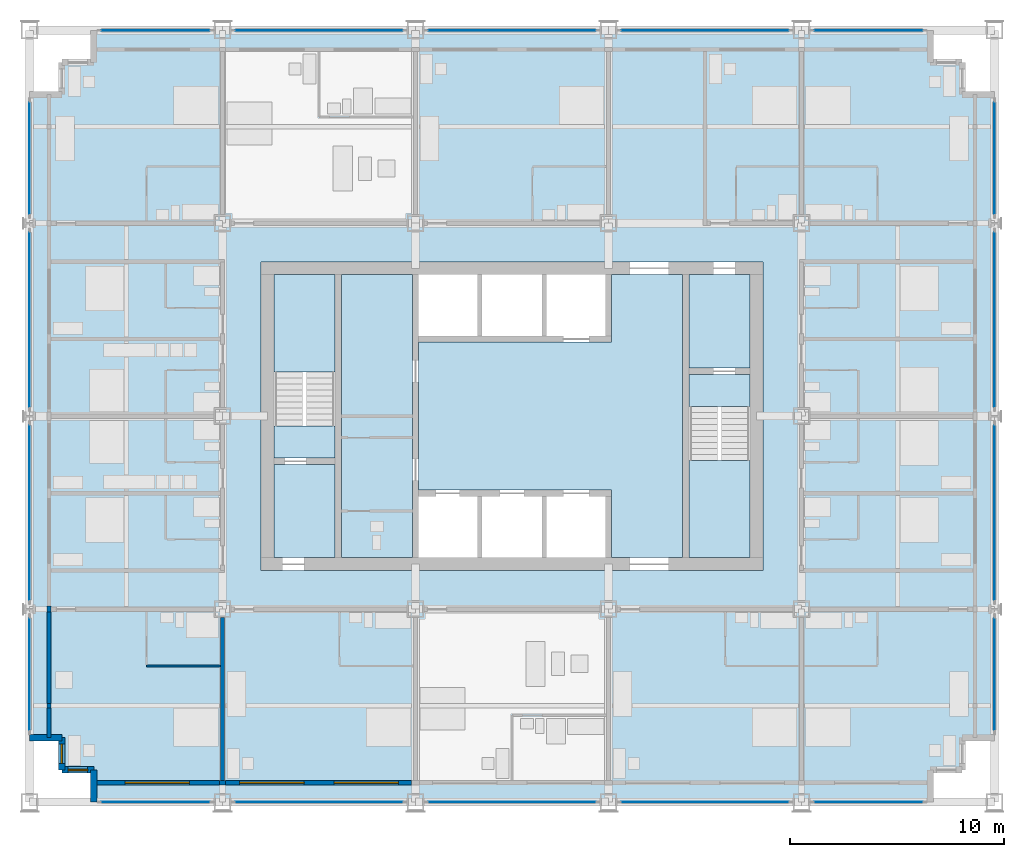
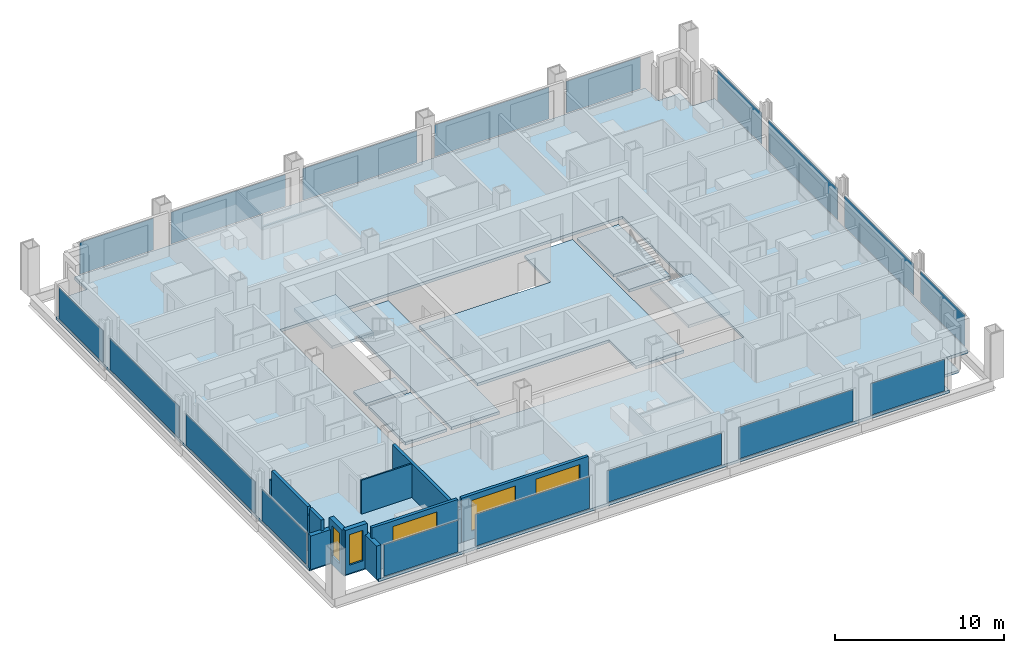
# One storey, part 8 of 16: 18 plates, 13 walls, 9 slabs, 5 windows, 5 openings, 20 elements without a shape of their own.
"""IFC4 building model written with IfcOpenShell, lengths in metres."""

import ifcopenshell
import ifcopenshell.guid

model = None  # the IFC model being written
_history = None  # IfcOwnerHistory: only IFC2X3 demands one
_inside = {}  # id of a spatial element -> (the spatial element, [elements in it])
_under = {}  # id of a project, library or spatial element -> (it, [spatial elements below it])
_declared = {}  # id of a project -> (the project, [libraries it declares])
_typed = {}  # id of a type object -> (the type object, [elements of that type])
_made_of = {}  # id of a material, layer set ... -> (it, [elements and type objects made of it])


def new_model(schema):
    """Start an empty IFC model of exactly this schema.

    Asked for "IFC4X3", IfcOpenShell would pick the latest addendum, in which some entities
    have other attributes; the version numbers below select the first issue.
    IFC2X3 requires an IfcOwnerHistory on every rooted entity: one is made here for all.
    """
    global model, _history
    if schema == "IFC4X3":
        model = ifcopenshell.file(schema_version=(4, 3, 0, 0))
    else:
        model = ifcopenshell.file(schema=schema)
    _inside.clear()
    _under.clear()
    _declared.clear()
    _typed.clear()
    _made_of.clear()
    _history = None
    if model.schema == "IFC2X3":
        org = make("IfcOrganization", Name="unknown")
        user = make(
            "IfcPersonAndOrganization",
            ThePerson=make("IfcPerson", FamilyName="unknown"),
            TheOrganization=org,
        )
        app = make(
            "IfcApplication",
            ApplicationDeveloper=org,
            Version="unknown",
            ApplicationFullName="unknown",
            ApplicationIdentifier="unknown",
        )
        _history = make(
            "IfcOwnerHistory",
            OwningUser=user,
            OwningApplication=app,
            ChangeAction="ADDED",
            CreationDate=0,
        )
    return model


def make(cls, **values):
    """One entity of the class cls with the attributes given. An attribute that is None is left unset."""
    return model.create_entity(
        cls, **{name: value for name, value in values.items() if value is not None}
    )


def rooted(cls, **values):
    """An entity with a GlobalId (a new one), such as an element, a storey or a relation."""
    return make(cls, GlobalId=ifcopenshell.guid.new(), OwnerHistory=_history, **values)


def si_unit(unit_type, name, prefix=None):
    """IfcSIUnit, for example si_unit("LENGTHUNIT", "METRE", prefix="MILLI")."""
    return make("IfcSIUnit", UnitType=unit_type, Prefix=prefix, Name=name)


def assignment(units):
    """IfcUnitAssignment: the units of a project."""
    return None if units is None else make("IfcUnitAssignment", Units=units)


def point(xyz):
    """IfcCartesianPoint."""
    return None if xyz is None else make("IfcCartesianPoint", Coordinates=xyz)


def direction(xyz):
    """IfcDirection."""
    return None if xyz is None else make("IfcDirection", DirectionRatios=xyz)


def frame(location, z_axis=None, x_axis=None):
    """IfcAxis2Placement3D, a coordinate frame: its origin and axes. An axis left out is left unset."""
    return make(
        "IfcAxis2Placement3D",
        Location=point(location),
        Axis=direction(z_axis),
        RefDirection=direction(x_axis),
    )


def frame_2d(location, x_axis=None):
    """IfcAxis2Placement2D, a coordinate frame in the plane: its origin and x axis."""
    return make(
        "IfcAxis2Placement2D", Location=point(location), RefDirection=direction(x_axis)
    )


def origin():
    """The frame at (0, 0, 0) with its axes left unset."""
    return frame((0.0, 0.0, 0.0))


def origin_2d():
    """The frame at (0, 0) in the plane with its x axis left unset."""
    return frame_2d((0.0, 0.0))


def place(relative_to, where):
    """IfcLocalPlacement: puts the frame where relative to a parent placement (None: the world)."""
    return make(
        "IfcLocalPlacement", PlacementRelTo=relative_to, RelativePlacement=where
    )


def context(
    kind, dimensions, precision=None, world=None, true_north=None, identifier=None
):
    """IfcGeometricRepresentationContext, for example the 3D "Model" context."""
    return make(
        "IfcGeometricRepresentationContext",
        ContextIdentifier=identifier,
        ContextType=kind,
        CoordinateSpaceDimension=dimensions,
        Precision=precision,
        WorldCoordinateSystem=world,
        TrueNorth=true_north,
    )


def subcontext(parent, identifier, kind, view, scale=None):
    """IfcGeometricRepresentationSubContext, for example "Body" below "Model"."""
    return make(
        "IfcGeometricRepresentationSubContext",
        ContextIdentifier=identifier,
        ContextType=kind,
        ParentContext=parent,
        TargetScale=scale,
        TargetView=view,
    )


def project(units=None, contexts=None):
    """IfcProject with its units and contexts."""
    return rooted(
        "IfcProject",
        Name="project",
        RepresentationContexts=contexts,
        UnitsInContext=assignment(units),
    )


def spatial(cls, under=None, at=None, **own):
    """A site, building, storey or space (cls), placed at a placement, below another one or the project."""
    s = rooted(cls, ObjectPlacement=at, **own)
    if under is not None:
        _under.setdefault(under.id(), (under, []))[1].append(s)
    return s


def polyline(points):
    """IfcPolyline through the points."""
    return make("IfcPolyline", Points=[point(p) for p in points])


def profile(cls, at=None, kind="AREA", **sizes):
    """A parametric profile (cls). Its sizes go by their IFC names, for example OverallWidth=200.0."""
    return make(cls, ProfileType=kind, Position=at, **sizes)


def rectangle(**sizes):
    """IfcRectangleProfileDef."""
    return profile("IfcRectangleProfileDef", **sizes)


def outline(outer, holes=None, kind="AREA"):
    """IfcArbitraryClosedProfileDef: a profile drawn as a closed curve; with holes, ...WithVoids."""
    if holes is None:
        return make("IfcArbitraryClosedProfileDef", ProfileType=kind, OuterCurve=outer)
    return make(
        "IfcArbitraryProfileDefWithVoids",
        ProfileType=kind,
        OuterCurve=outer,
        InnerCurves=holes,
    )


def extrude(swept, where, along, depth):
    """IfcExtrudedAreaSolid: the profile swept, set in the frame where, extruded along a direction by depth."""
    return make(
        "IfcExtrudedAreaSolid",
        SweptArea=swept,
        Position=where,
        ExtrudedDirection=direction(along),
        Depth=depth,
    )


def shape(context_of_items, identifier, shape_type, items):
    """IfcShapeRepresentation: the items that make up one representation, for example the "Body"."""
    return make(
        "IfcShapeRepresentation",
        ContextOfItems=context_of_items,
        RepresentationIdentifier=identifier,
        RepresentationType=shape_type,
        Items=items,
    )


def material(Name=None, Category=None):
    """IfcMaterial."""
    return make("IfcMaterial", Name=Name, Category=Category)


def layer(
    of_material, thickness, ventilated=None, Name=None, Category=None, Priority=None
):
    """IfcMaterialLayer: one layer of a wall or slab, of a material (None: an air gap)."""
    return make(
        "IfcMaterialLayer",
        Material=of_material,
        LayerThickness=thickness,
        IsVentilated=ventilated,
        Name=Name,
        Category=Category,
        Priority=Priority,
    )


def layer_set(layers, Name=None):
    """IfcMaterialLayerSet."""
    return make("IfcMaterialLayerSet", MaterialLayers=layers, LayerSetName=Name)


def made_of(thing, what):
    """Note that an element or type object is made of a material, layer set ...; save() writes the relation."""
    if what is not None:
        _made_of.setdefault(what.id(), (what, []))[1].append(thing)
    return thing


def type_object(cls, material=None, **own):
    """A type object (cls), such as IfcWallType, which elements share."""
    return made_of(rooted(cls, **own), material)


def element(
    cls,
    number,
    at=None,
    inside=None,
    cuts=None,
    type_object=None,
    material=None,
    context=None,
    identifier="Body",
    shape_type=None,
    held_by="IfcProductDefinitionShape",
    body=None,
    shapes=None,
    **own,
):
    """One element of the class cls, such as IfcWall. Its Tag is "e" and its number.

    at: its placement. inside: the storey or other place that contains it. cuts: it is an
    opening in that element (IfcRelVoidsElement). A single representation is given by context,
    identifier, shape_type and body (its items); several are given by shapes. held_by: the class
    of the entity that holds the representations. save() writes the other relations.
    """
    e = rooted(cls, Tag="e%d" % number, ObjectPlacement=at, **own)
    if body is not None:
        shapes = [shape(context, identifier, shape_type, body)]
    if shapes is not None:
        e.Representation = make(held_by, Representations=shapes)
    if inside is not None:
        _inside.setdefault(inside.id(), (inside, []))[1].append(e)
    if cuts is not None:
        rooted(
            "IfcRelVoidsElement", RelatingBuildingElement=cuts, RelatedOpeningElement=e
        )
    if type_object is not None:
        _typed.setdefault(type_object.id(), (type_object, []))[1].append(e)
    return made_of(e, material)


def fill(opening, filler):
    """IfcRelFillsElement: the door or window that sits in an opening."""
    return rooted(
        "IfcRelFillsElement",
        RelatingOpeningElement=opening,
        RelatedBuildingElement=filler,
    )


def aggregate(whole, parts):
    """IfcRelAggregates: a whole, such as a stair, and the parts it consists of."""
    return rooted("IfcRelAggregates", RelatingObject=whole, RelatedObjects=parts)


def save(model, path):
    """Write the relations noted so far, then the file.

    IfcRelAggregates (storeys below a building ...), IfcRelContainedInSpatialStructure (elements
    in a storey), IfcRelDefinesByType, IfcRelAssociatesMaterial and IfcRelDeclares: one each for
    every whole, place, type object, material and project.
    """
    for whole, parts in _under.values():
        aggregate(whole, parts)
    for where, things in _inside.values():
        rooted(
            "IfcRelContainedInSpatialStructure",
            RelatedElements=things,
            RelatingStructure=where,
        )
    for kind, things in _typed.values():
        rooted("IfcRelDefinesByType", RelatedObjects=things, RelatingType=kind)
    for what, things in _made_of.values():
        rooted("IfcRelAssociatesMaterial", RelatedObjects=things, RelatingMaterial=what)
    for by, libraries in _declared.values():
        rooted("IfcRelDeclares", RelatingContext=by, RelatedDefinitions=libraries)
    model.write(path)


model = new_model("IFC4")

# Units and contexts
model_context = context("Model", 3, precision=1e-05, world=origin(), true_north=direction((0.0, 1.0)))
body_context = subcontext(model_context, "Body", "Model", "MODEL_VIEW")
ifc_project = project(units=[si_unit("LENGTHUNIT", "METRE"), si_unit("AREAUNIT", "SQUARE_METRE"), si_unit("VOLUMEUNIT", "CUBIC_METRE"), si_unit("PLANEANGLEUNIT", "RADIAN"), si_unit("MASSUNIT", "GRAM", prefix="KILO")], contexts=[model_context])

# Site, building, storey
site_placement = place(None, origin())
site = spatial("IfcSite", under=ifc_project, at=site_placement, CompositionType="ELEMENT")
building_placement = place(site_placement, origin())
building = spatial("IfcBuilding", under=site, at=building_placement, Name="Loomwork Tower", CompositionType="ELEMENT")
storey_placement = place(building_placement, frame((0.0, 0.0, 111.199951171875)))
storey = spatial("IfcBuildingStorey", under=building, at=storey_placement, Name="L29", CompositionType="ELEMENT", Elevation=111.199951171875)

# Slabs
ifc_material_1 = material(Name="Concrete 5000 psi (34 MPa) on composite metal deck", Category="concrete")
ifc_layer_1 = layer(ifc_material_1, 0.199951171875)
ifc_layer_set_1 = layer_set([ifc_layer_1], Name="Floor slab 200")
slab_type_1 = type_object("IfcSlabType", Name="Floor slab 200", PredefinedType="FLOOR", material=ifc_layer_set_1)
slab_1_placement = place(storey_placement, frame((0.0, 0.0, -0.199951171875)))
element("IfcSlab", 1, at=slab_1_placement, inside=storey, type_object=slab_type_1, Name="Floor slab L29", PredefinedType="FLOOR", context=body_context, shape_type="SweptSolid", body=[
    extrude(outline(polyline([(3.0, 1.5), (1.5, 1.5), (1.5, 3.0), (0.0, 3.0), (0.0, 33.0), (1.5, 33.0), (1.5, 34.5), (3.0, 34.5), (3.0, 36.0), (42.0, 36.0), (42.0, 34.5), (43.5, 34.5), (43.5, 33.0), (45.0, 33.0), (45.0, 3.0), (43.5, 3.0), (43.5, 1.5), (42.0, 1.5), (42.0, 0.0), (3.0, 0.0), (3.0, 1.5)]), holes=[polyline([(10.800048828125, 11.39990234375), (10.800048828125, 11.39990234375), (10.800048828125, 10.800048828125), (34.199951171875, 10.800048828125), (34.199951171875, 11.39990234375), (34.199951171875, 11.39990234375), (34.199951171875, 24.60009765625), (34.199951171875, 25.199951171875), (10.800048828125, 25.199951171875), (10.800048828125, 24.60009765625), (10.800048828125, 11.39990234375)])]), origin(), (0.0, 0.0, 1.0), 0.199951171875),
])
slab_2_placement = place(storey_placement, frame((0.0, 0.0, -0.199951171875)))
element("IfcSlab", 2, at=slab_2_placement, inside=storey, type_object=slab_type_1, Name="Floor slab L29", PredefinedType="FLOOR", context=body_context, shape_type="SweptSolid", body=[
    extrude(outline(polyline([(30.449951171875, 24.60009765625), (30.449951171875, 11.39990234375), (27.14990234375, 11.39990234375), (27.14990234375, 14.25), (27.14990234375, 14.550048828125), (18.14990234375, 14.550048828125), (18.14990234375, 21.449951171875), (27.14990234375, 21.449951171875), (27.14990234375, 21.75), (27.14990234375, 24.60009765625), (30.449951171875, 24.60009765625)])), origin(), (0.0, 0.0, 1.0), 0.199951171875),
])
slab_3_placement = place(storey_placement, frame((0.0, 0.0, -0.199951171875)))
element("IfcSlab", 3, at=slab_3_placement, inside=storey, type_object=slab_type_1, Name="Floor slab L29", PredefinedType="FLOOR", context=body_context, shape_type="SweptSolid", body=[
    extrude(outline(polyline([(14.550048828125, 11.39990234375), (14.550048828125, 24.60009765625), (17.85009765625, 24.60009765625), (17.85009765625, 11.39990234375), (14.550048828125, 11.39990234375)])), origin(), (0.0, 0.0, 1.0), 0.199951171875),
])
slab_4_placement = place(storey_placement, frame((0.0, 0.0, -0.199951171875)))
element("IfcSlab", 4, at=slab_4_placement, inside=storey, type_object=slab_type_1, Name="Floor slab L29", PredefinedType="FLOOR", context=body_context, shape_type="SweptSolid", body=[
    extrude(outline(polyline([(33.60009765625, 20.25), (30.75, 20.25), (30.75, 24.60009765625), (33.60009765625, 24.60009765625), (33.60009765625, 20.25)])), origin(), (0.0, 0.0, 1.0), 0.199951171875),
])
slab_5_placement = place(storey_placement, frame((0.0, 0.0, -0.199951171875)))
element("IfcSlab", 5, at=slab_5_placement, inside=storey, type_object=slab_type_1, Name="Floor slab L29", PredefinedType="FLOOR", context=body_context, shape_type="SweptSolid", body=[
    extrude(outline(polyline([(14.25, 15.75), (14.25, 11.39990234375), (11.39990234375, 11.39990234375), (11.39990234375, 15.75), (14.25, 15.75)])), origin(), (0.0, 0.0, 1.0), 0.199951171875),
])

# Curtain wall, plate
ifc_material_2 = material(Name="Aluminium curtain wall frame", Category="aluminium")
curtain_wall_type = type_object("IfcCurtainWallType", Name="Outer skin glazing hotel", PredefinedType="NOTDEFINED", material=ifc_material_2)
curtain_wall_1_placement = place(storey_placement, origin())
curtain_wall_1 = element("IfcCurtainWall", 6, at=curtain_wall_1_placement, inside=storey, type_object=curtain_wall_type, Name="Outer skin glazing hotel cw/S-0", PredefinedType="NOTDEFINED")
ifc_material_3 = material(Name="Clear laminated glass", Category="glass")
ifc_layer_2 = layer(ifc_material_3, 0.02392578125)
ifc_layer_set_2 = layer_set([ifc_layer_2], Name="Outer skin glazing hotel panel")
plate_type = type_object("IfcPlateType", Name="Outer skin glazing hotel panel", PredefinedType="CURTAIN_PANEL", material=ifc_layer_set_2)
plate_1_placement = place(storey_placement, frame((5.875, 0.0, 0.06494140625), z_axis=(0.0, 0.0, 1.0), x_axis=(1.0, 0.0, 0.0)))
plate_1 = element("IfcPlate", 7, at=plate_1_placement, type_object=plate_type, Name="CW1 panel 1.1", PredefinedType="CURTAIN_PANEL", context=body_context, shape_type="SweptSolid", body=[
    extrude(rectangle(XDim=5.050048828125, YDim=0.02392578125, at=origin_2d()), origin(), (0.0, 0.0, 1.0), 2.290283203125),
])
aggregate(curtain_wall_1, [plate_1])

curtain_wall_2_placement = place(storey_placement, origin())
curtain_wall_2 = element("IfcCurtainWall", 8, at=curtain_wall_2_placement, inside=storey, type_object=curtain_wall_type, Name="Outer skin glazing hotel cw/S-9", PredefinedType="NOTDEFINED")
plate_2_placement = place(storey_placement, frame((13.5, 0.0, 0.06494140625), z_axis=(0.0, 0.0, 1.0), x_axis=(1.0, 0.0, 0.0)))
plate_2 = element("IfcPlate", 9, at=plate_2_placement, type_object=plate_type, Name="CW1 panel 1.1", PredefinedType="CURTAIN_PANEL", context=body_context, shape_type="SweptSolid", body=[
    extrude(rectangle(XDim=7.800048828125, YDim=0.02392578125, at=origin_2d()), origin(), (0.0, 0.0, 1.0), 2.290283203125),
])
aggregate(curtain_wall_2, [plate_2])

curtain_wall_3_placement = place(storey_placement, origin())
curtain_wall_3 = element("IfcCurtainWall", 10, at=curtain_wall_3_placement, inside=storey, type_object=curtain_wall_type, Name="Outer skin glazing hotel cw/S-18", PredefinedType="NOTDEFINED")
plate_3_placement = place(storey_placement, frame((22.5, 0.0, 0.06494140625), z_axis=(0.0, 0.0, 1.0), x_axis=(1.0, 0.0, 0.0)))
plate_3 = element("IfcPlate", 11, at=plate_3_placement, type_object=plate_type, Name="CW1 panel 1.1", PredefinedType="CURTAIN_PANEL", context=body_context, shape_type="SweptSolid", body=[
    extrude(rectangle(XDim=7.800048828125, YDim=0.02392578125, at=origin_2d()), origin(), (0.0, 0.0, 1.0), 2.290283203125),
])
aggregate(curtain_wall_3, [plate_3])

curtain_wall_4_placement = place(storey_placement, origin())
curtain_wall_4 = element("IfcCurtainWall", 12, at=curtain_wall_4_placement, inside=storey, type_object=curtain_wall_type, Name="Outer skin glazing hotel cw/S-27", PredefinedType="NOTDEFINED")
plate_4_placement = place(storey_placement, frame((31.5, 0.0, 0.06494140625), z_axis=(0.0, 0.0, 1.0), x_axis=(1.0, 0.0, 0.0)))
plate_4 = element("IfcPlate", 13, at=plate_4_placement, type_object=plate_type, Name="CW1 panel 1.1", PredefinedType="CURTAIN_PANEL", context=body_context, shape_type="SweptSolid", body=[
    extrude(rectangle(XDim=7.800048828125, YDim=0.02392578125, at=origin_2d()), origin(), (0.0, 0.0, 1.0), 2.290283203125),
])
aggregate(curtain_wall_4, [plate_4])

curtain_wall_5_placement = place(storey_placement, origin())
curtain_wall_5 = element("IfcCurtainWall", 14, at=curtain_wall_5_placement, inside=storey, type_object=curtain_wall_type, Name="Outer skin glazing hotel cw/S-36", PredefinedType="NOTDEFINED")
plate_5_placement = place(storey_placement, frame((39.125, 0.0, 0.06494140625), z_axis=(0.0, 0.0, 1.0), x_axis=(1.0, 0.0, 0.0)))
plate_5 = element("IfcPlate", 15, at=plate_5_placement, type_object=plate_type, Name="CW1 panel 1.1", PredefinedType="CURTAIN_PANEL", context=body_context, shape_type="SweptSolid", body=[
    extrude(rectangle(XDim=5.050048828125, YDim=0.02392578125, at=origin_2d()), origin(), (0.0, 0.0, 1.0), 2.290283203125),
])
aggregate(curtain_wall_5, [plate_5])

curtain_wall_6_placement = place(storey_placement, origin())
curtain_wall_6 = element("IfcCurtainWall", 16, at=curtain_wall_6_placement, inside=storey, type_object=curtain_wall_type, Name="Outer skin glazing hotel cw/N-0", PredefinedType="NOTDEFINED")
plate_6_placement = place(storey_placement, frame((5.875, 36.0, 0.06494140625), z_axis=(0.0, 0.0, 1.0), x_axis=(-1.0, 0.0, 0.0)))
plate_6 = element("IfcPlate", 17, at=plate_6_placement, type_object=plate_type, Name="CW1 panel 1.1", PredefinedType="CURTAIN_PANEL", context=body_context, shape_type="SweptSolid", body=[
    extrude(rectangle(XDim=5.050048828125, YDim=0.02392578125, at=origin_2d()), origin(), (0.0, 0.0, 1.0), 2.290283203125),
])
aggregate(curtain_wall_6, [plate_6])

curtain_wall_7_placement = place(storey_placement, origin())
curtain_wall_7 = element("IfcCurtainWall", 18, at=curtain_wall_7_placement, inside=storey, type_object=curtain_wall_type, Name="Outer skin glazing hotel cw/N-9", PredefinedType="NOTDEFINED")
plate_7_placement = place(storey_placement, frame((13.5, 36.0, 0.06494140625), z_axis=(0.0, 0.0, 1.0), x_axis=(-1.0, 0.0, 0.0)))
plate_7 = element("IfcPlate", 19, at=plate_7_placement, type_object=plate_type, Name="CW1 panel 1.1", PredefinedType="CURTAIN_PANEL", context=body_context, shape_type="SweptSolid", body=[
    extrude(rectangle(XDim=7.800048828125, YDim=0.02392578125, at=origin_2d()), origin(), (0.0, 0.0, 1.0), 2.290283203125),
])
aggregate(curtain_wall_7, [plate_7])

curtain_wall_8_placement = place(storey_placement, origin())
curtain_wall_8 = element("IfcCurtainWall", 20, at=curtain_wall_8_placement, inside=storey, type_object=curtain_wall_type, Name="Outer skin glazing hotel cw/N-18", PredefinedType="NOTDEFINED")
plate_8_placement = place(storey_placement, frame((22.5, 36.0, 0.06494140625), z_axis=(0.0, 0.0, 1.0), x_axis=(-1.0, 0.0, 0.0)))
plate_8 = element("IfcPlate", 21, at=plate_8_placement, type_object=plate_type, Name="CW1 panel 1.1", PredefinedType="CURTAIN_PANEL", context=body_context, shape_type="SweptSolid", body=[
    extrude(rectangle(XDim=7.800048828125, YDim=0.02392578125, at=origin_2d()), origin(), (0.0, 0.0, 1.0), 2.290283203125),
])
aggregate(curtain_wall_8, [plate_8])

curtain_wall_9_placement = place(storey_placement, origin())
curtain_wall_9 = element("IfcCurtainWall", 22, at=curtain_wall_9_placement, inside=storey, type_object=curtain_wall_type, Name="Outer skin glazing hotel cw/N-27", PredefinedType="NOTDEFINED")
plate_9_placement = place(storey_placement, frame((31.5, 36.0, 0.06494140625), z_axis=(0.0, 0.0, 1.0), x_axis=(-1.0, 0.0, 0.0)))
plate_9 = element("IfcPlate", 23, at=plate_9_placement, type_object=plate_type, Name="CW1 panel 1.1", PredefinedType="CURTAIN_PANEL", context=body_context, shape_type="SweptSolid", body=[
    extrude(rectangle(XDim=7.800048828125, YDim=0.02392578125, at=origin_2d()), origin(), (0.0, 0.0, 1.0), 2.290283203125),
])
aggregate(curtain_wall_9, [plate_9])

curtain_wall_10_placement = place(storey_placement, origin())
curtain_wall_10 = element("IfcCurtainWall", 24, at=curtain_wall_10_placement, inside=storey, type_object=curtain_wall_type, Name="Outer skin glazing hotel cw/N-36", PredefinedType="NOTDEFINED")
plate_10_placement = place(storey_placement, frame((39.125, 36.0, 0.06494140625), z_axis=(0.0, 0.0, 1.0), x_axis=(-1.0, 0.0, 0.0)))
plate_10 = element("IfcPlate", 25, at=plate_10_placement, type_object=plate_type, Name="CW1 panel 1.1", PredefinedType="CURTAIN_PANEL", context=body_context, shape_type="SweptSolid", body=[
    extrude(rectangle(XDim=5.050048828125, YDim=0.02392578125, at=origin_2d()), origin(), (0.0, 0.0, 1.0), 2.290283203125),
])
aggregate(curtain_wall_10, [plate_10])

curtain_wall_11_placement = place(storey_placement, origin())
curtain_wall_11 = element("IfcCurtainWall", 26, at=curtain_wall_11_placement, inside=storey, type_object=curtain_wall_type, Name="Outer skin glazing hotel cw/W-0", PredefinedType="NOTDEFINED")
plate_11_placement = place(storey_placement, frame((0.0, 5.962646484375, 0.06494140625), z_axis=(0.0, 0.0, 1.0), x_axis=(0.0, -1.0, 0.0)))
plate_11 = element("IfcPlate", 27, at=plate_11_placement, type_object=plate_type, Name="CW1 panel 1.1", PredefinedType="CURTAIN_PANEL", context=body_context, shape_type="SweptSolid", body=[
    extrude(rectangle(XDim=5.22509765625, YDim=0.02392578125, at=origin_2d()), origin(), (0.0, 0.0, 1.0), 2.290283203125),
])
aggregate(curtain_wall_11, [plate_11])

curtain_wall_12_placement = place(storey_placement, origin())
curtain_wall_12 = element("IfcCurtainWall", 28, at=curtain_wall_12_placement, inside=storey, type_object=curtain_wall_type, Name="Outer skin glazing hotel cw/W-9", PredefinedType="NOTDEFINED")
plate_12_placement = place(storey_placement, frame((0.0, 13.5, 0.06494140625), z_axis=(0.0, 0.0, 1.0), x_axis=(0.0, -1.0, 0.0)))
plate_12 = element("IfcPlate", 29, at=plate_12_placement, type_object=plate_type, Name="CW1 panel 1.1", PredefinedType="CURTAIN_PANEL", context=body_context, shape_type="SweptSolid", body=[
    extrude(rectangle(XDim=8.150390625, YDim=0.02392578125, at=origin_2d()), origin(), (0.0, 0.0, 1.0), 2.290283203125),
])
aggregate(curtain_wall_12, [plate_12])

curtain_wall_13_placement = place(storey_placement, origin())
curtain_wall_13 = element("IfcCurtainWall", 30, at=curtain_wall_13_placement, inside=storey, type_object=curtain_wall_type, Name="Outer skin glazing hotel cw/W-18", PredefinedType="NOTDEFINED")
plate_13_placement = place(storey_placement, frame((0.0, 22.5, 0.06494140625), z_axis=(0.0, 0.0, 1.0), x_axis=(0.0, -1.0, 0.0)))
plate_13 = element("IfcPlate", 31, at=plate_13_placement, type_object=plate_type, Name="CW1 panel 1.1", PredefinedType="CURTAIN_PANEL", context=body_context, shape_type="SweptSolid", body=[
    extrude(rectangle(XDim=8.150390625, YDim=0.02392578125, at=origin_2d()), origin(), (0.0, 0.0, 1.0), 2.290283203125),
])
aggregate(curtain_wall_13, [plate_13])

curtain_wall_14_placement = place(storey_placement, origin())
curtain_wall_14 = element("IfcCurtainWall", 32, at=curtain_wall_14_placement, inside=storey, type_object=curtain_wall_type, Name="Outer skin glazing hotel cw/W-27", PredefinedType="NOTDEFINED")
plate_14_placement = place(storey_placement, frame((0.0, 30.037353515625, 0.06494140625), z_axis=(0.0, 0.0, 1.0), x_axis=(0.0, -1.0, 0.0)))
plate_14 = element("IfcPlate", 33, at=plate_14_placement, type_object=plate_type, Name="CW1 panel 1.1", PredefinedType="CURTAIN_PANEL", context=body_context, shape_type="SweptSolid", body=[
    extrude(rectangle(XDim=5.22509765625, YDim=0.02392578125, at=origin_2d()), origin(), (0.0, 0.0, 1.0), 2.290283203125),
])
aggregate(curtain_wall_14, [plate_14])

curtain_wall_15_placement = place(storey_placement, origin())
curtain_wall_15 = element("IfcCurtainWall", 34, at=curtain_wall_15_placement, inside=storey, type_object=curtain_wall_type, Name="Outer skin glazing hotel cw/E-0", PredefinedType="NOTDEFINED")
plate_15_placement = place(storey_placement, frame((45.0, 5.962646484375, 0.06494140625), z_axis=(0.0, 0.0, 1.0), x_axis=(0.0, 1.0, 0.0)))
plate_15 = element("IfcPlate", 35, at=plate_15_placement, type_object=plate_type, Name="CW1 panel 1.1", PredefinedType="CURTAIN_PANEL", context=body_context, shape_type="SweptSolid", body=[
    extrude(rectangle(XDim=5.22509765625, YDim=0.02392578125, at=origin_2d()), origin(), (0.0, 0.0, 1.0), 2.290283203125),
])
aggregate(curtain_wall_15, [plate_15])

curtain_wall_16_placement = place(storey_placement, origin())
curtain_wall_16 = element("IfcCurtainWall", 36, at=curtain_wall_16_placement, inside=storey, type_object=curtain_wall_type, Name="Outer skin glazing hotel cw/E-9", PredefinedType="NOTDEFINED")
plate_16_placement = place(storey_placement, frame((45.0, 13.5, 0.06494140625), z_axis=(0.0, 0.0, 1.0), x_axis=(0.0, 1.0, 0.0)))
plate_16 = element("IfcPlate", 37, at=plate_16_placement, type_object=plate_type, Name="CW1 panel 1.1", PredefinedType="CURTAIN_PANEL", context=body_context, shape_type="SweptSolid", body=[
    extrude(rectangle(XDim=8.150390625, YDim=0.02392578125, at=origin_2d()), origin(), (0.0, 0.0, 1.0), 2.290283203125),
])
aggregate(curtain_wall_16, [plate_16])

curtain_wall_17_placement = place(storey_placement, origin())
curtain_wall_17 = element("IfcCurtainWall", 38, at=curtain_wall_17_placement, inside=storey, type_object=curtain_wall_type, Name="Outer skin glazing hotel cw/E-18", PredefinedType="NOTDEFINED")
plate_17_placement = place(storey_placement, frame((45.0, 22.5, 0.06494140625), z_axis=(0.0, 0.0, 1.0), x_axis=(0.0, 1.0, 0.0)))
plate_17 = element("IfcPlate", 39, at=plate_17_placement, type_object=plate_type, Name="CW1 panel 1.1", PredefinedType="CURTAIN_PANEL", context=body_context, shape_type="SweptSolid", body=[
    extrude(rectangle(XDim=8.150390625, YDim=0.02392578125, at=origin_2d()), origin(), (0.0, 0.0, 1.0), 2.290283203125),
])
aggregate(curtain_wall_17, [plate_17])

curtain_wall_18_placement = place(storey_placement, origin())
curtain_wall_18 = element("IfcCurtainWall", 40, at=curtain_wall_18_placement, inside=storey, type_object=curtain_wall_type, Name="Outer skin glazing hotel cw/E-27", PredefinedType="NOTDEFINED")
plate_18_placement = place(storey_placement, frame((45.0, 30.037353515625, 0.06494140625), z_axis=(0.0, 0.0, 1.0), x_axis=(0.0, 1.0, 0.0)))
plate_18 = element("IfcPlate", 41, at=plate_18_placement, type_object=plate_type, Name="CW1 panel 1.1", PredefinedType="CURTAIN_PANEL", context=body_context, shape_type="SweptSolid", body=[
    extrude(rectangle(XDim=5.22509765625, YDim=0.02392578125, at=origin_2d()), origin(), (0.0, 0.0, 1.0), 2.290283203125),
])
aggregate(curtain_wall_18, [plate_18])

# Stair, slabs
ifc_material_4 = material(Name="Concrete 5000 psi (34 MPa) precast stair", Category="concrete")
stair_type_1 = type_object("IfcStairType", Name="Stair ST-A 20 risers 2850 wide", PredefinedType="HALF_TURN_STAIR", material=ifc_material_4)
stair_1_placement = place(storey_placement, origin())
stair_1 = element("IfcStair", 42, at=stair_1_placement, inside=storey, type_object=stair_type_1, Name="Stair A L29", PredefinedType="HALF_TURN_STAIR")
ifc_material_5 = material(Name="Concrete 5000 psi (34 MPa)", Category="concrete")
ifc_layer_3 = layer(ifc_material_5, 0.199951171875)
ifc_layer_set_3 = layer_set([ifc_layer_3], Name="Stair landing 200")
slab_type_2 = type_object("IfcSlabType", Name="Stair landing 200", PredefinedType="LANDING", material=ifc_layer_set_3)
slab_6_placement = place(storey_placement, frame((0.0, 0.0, -0.199951171875)))
slab_6 = element("IfcSlab", 43, at=slab_6_placement, type_object=slab_type_2, Name="ST-A landing 1", PredefinedType="LANDING", context=body_context, shape_type="SweptSolid", body=[
    extrude(outline(polyline([(11.39990234375, 16.050048828125), (14.25, 16.050048828125), (14.25, 17.550048828125), (11.39990234375, 17.550048828125), (11.39990234375, 16.050048828125)])), origin(), (0.0, 0.0, 1.0), 0.199951171875),
])
slab_7_placement = place(storey_placement, frame((0.0, 0.0, 1.5)))
slab_7 = element("IfcSlab", 44, at=slab_7_placement, type_object=slab_type_2, Name="ST-A landing 2", PredefinedType="LANDING", context=body_context, shape_type="SweptSolid", body=[
    extrude(outline(polyline([(11.39990234375, 20.070068359375), (14.25, 20.070068359375), (14.25, 24.60009765625), (11.39990234375, 24.60009765625), (11.39990234375, 20.070068359375)])), origin(), (0.0, 0.0, 1.0), 0.199951171875),
])
aggregate(stair_1, [slab_6, slab_7])

ifc_material_6 = material(Name="Concrete 5000 psi (34 MPa) precast stair", Category="concrete")
stair_type_2 = type_object("IfcStairType", Name="Stair ST-B 20 risers 2850 wide", PredefinedType="HALF_TURN_STAIR", material=ifc_material_6)
stair_2_placement = place(storey_placement, origin())
stair_2 = element("IfcStair", 45, at=stair_2_placement, inside=storey, type_object=stair_type_2, Name="Stair B L29", PredefinedType="HALF_TURN_STAIR")
slab_8_placement = place(storey_placement, frame((0.0, 0.0, -0.199951171875)))
slab_8 = element("IfcSlab", 46, at=slab_8_placement, type_object=slab_type_2, Name="ST-B landing 1", PredefinedType="LANDING", context=body_context, shape_type="SweptSolid", body=[
    extrude(outline(polyline([(30.75, 18.449951171875), (33.60009765625, 18.449951171875), (33.60009765625, 19.949951171875), (30.75, 19.949951171875), (30.75, 18.449951171875)])), origin(), (0.0, 0.0, 1.0), 0.199951171875),
])
slab_9_placement = place(storey_placement, frame((0.0, 0.0, 1.5)))
slab_9 = element("IfcSlab", 47, at=slab_9_placement, type_object=slab_type_2, Name="ST-B landing 2", PredefinedType="LANDING", context=body_context, shape_type="SweptSolid", body=[
    extrude(outline(polyline([(30.75, 11.39990234375), (33.60009765625, 11.39990234375), (33.60009765625, 15.929931640625), (30.75, 15.929931640625), (30.75, 11.39990234375)])), origin(), (0.0, 0.0, 1.0), 0.199951171875),
])
aggregate(stair_2, [slab_8, slab_9])

# Walls
ifc_material_7 = material(Name="Cement board on steel studs", Category="steel")
ifc_layer_4 = layer(ifc_material_7, 0.10009765625)
ifc_layer_set_4 = layer_set([ifc_layer_4], Name="En-suite partition 100")
wall_type_1 = type_object("IfcWallType", Name="En-suite partition 100", PredefinedType="PARTITIONING", material=ifc_layer_set_4)
wall_1_placement = place(storey_placement, frame((5.449951171875, 6.35009765625, 0.0), z_axis=(0.0, 0.0, 1.0), x_axis=(1.0, 0.0, 0.0)))
element("IfcWall", 48, at=wall_1_placement, inside=storey, type_object=wall_type_1, Name="En-suite wall L29 room 1", PredefinedType="PARTITIONING", context=body_context, shape_type="SweptSolid", body=[
    extrude(rectangle(XDim=3.449951171875, YDim=0.10009765625, at=frame_2d((1.72509765625, 0.0))), origin(), (0.0, 0.0, 1.0), 2.43798828125),
])
ifc_material_8 = material(Name="Gypsum board on steel studs, acoustic", Category="steel")
ifc_layer_5 = layer(ifc_material_8, 0.199951171875)
ifc_layer_set_5 = layer_set([ifc_layer_5], Name="Guest room party wall 200")
wall_type_2 = type_object("IfcWallType", Name="Guest room party wall 200", PredefinedType="PARTITIONING", material=ifc_layer_set_5)
wall_2_placement = place(storey_placement, frame((9.0, 8.60009765625, 0.0), z_axis=(0.0, 0.0, 1.0), x_axis=(0.0, -1.0, 0.0)))
element("IfcWall", 49, at=wall_2_placement, inside=storey, type_object=wall_type_2, Name="Guest room party wall S 9", PredefinedType="PARTITIONING", context=body_context, shape_type="SweptSolid", body=[
    extrude(rectangle(XDim=7.60009765625, YDim=0.199951171875, at=frame_2d((3.800048828125, 0.0))), origin(), (0.0, 0.0, 1.0), 2.43798828125),
])

# Wall, opening, window
ifc_material_9 = material(Name="Insulated steel stud wall with gypsum lining", Category="steel")
ifc_layer_6 = layer(ifc_material_9, 0.199951171875)
ifc_layer_set_6 = layer_set([ifc_layer_6], Name="Inner skin wall 200")
wall_type_3 = type_object("IfcWallType", Name="Inner skin wall 200", PredefinedType="SOLIDWALL", material=ifc_layer_set_6)
wall_3_placement = place(storey_placement, frame((3.0, 0.89990234375, 0.0), z_axis=(0.0, 0.0, 1.0), x_axis=(1.0, 0.0, 0.0)))
wall_3 = element("IfcWall", 50, at=wall_3_placement, inside=storey, type_object=wall_type_3, Name="Inner skin wall S", PredefinedType="SOLIDWALL", context=body_context, shape_type="SweptSolid", body=[
    extrude(rectangle(XDim=5.86474609375, YDim=0.199951171875, at=frame_2d((2.932373046875, 0.0))), origin(), (0.0, 0.0, 1.0), 3.199951171875),
])
opening_1_placement = place(wall_3_placement, frame((1.449951171875, 0.0, 0.60009765625)))
opening_1 = element("IfcOpeningElement", 51, at=opening_1_placement, cuts=wall_3, Name="Opening CH1", PredefinedType="OPENING", context=body_context, shape_type="SweptSolid", body=[
    extrude(rectangle(XDim=3.0, YDim=2.199951171875, at=frame_2d((1.5, 1.10009765625))), frame((0.0, 0.10986328125, 0.0), z_axis=(0.0, -1.0, 0.0), x_axis=(1.0, 0.0, 0.0)), (0.0, 0.0, 1.0), 0.219970703125),
])
ifc_material_10 = material(Name="Aluminium frame with clear insulated glass", Category="aluminium")
window_type_1 = type_object("IfcWindowType", Name="Chicago window 3000", PartitioningType="TRIPLE_PANEL_VERTICAL", PredefinedType="WINDOW", material=ifc_material_10)
window_1_placement = place(opening_1_placement, origin())
window_1 = element("IfcWindow", 52, at=window_1_placement, inside=storey, type_object=window_type_1, Name="Chicago window L29 bay 1", OverallHeight=2.199951171875, OverallWidth=3.0, PartitioningType="TRIPLE_PANEL_VERTICAL", PredefinedType="WINDOW", context=body_context, shape_type="SweptSolid", body=[
    extrude(rectangle(XDim=3.0, YDim=2.199951171875, at=frame_2d((1.5, 1.10009765625))), frame((0.0, 0.030029296875, 0.0), z_axis=(0.0, -1.0, 0.0), x_axis=(1.0, 0.0, 0.0)), (0.0, 0.0, 1.0), 0.06005859375),
])
fill(opening_1, window_1)

# Walls
wall_4_placement = place(storey_placement, frame((0.89990234375, 3.0, 0.0), z_axis=(0.0, 0.0, 1.0), x_axis=(0.0, 1.0, 0.0)))
element("IfcWall", 53, at=wall_4_placement, inside=storey, type_object=wall_type_3, Name="Inner skin wall W", PredefinedType="SOLIDWALL", context=body_context, shape_type="SweptSolid", body=[
    extrude(rectangle(XDim=1.392578125, YDim=0.199951171875, at=frame_2d((0.6962890625, 0.0))), origin(), (0.0, 0.0, 1.0), 3.199951171875),
])
wall_5_placement = place(storey_placement, frame((8.86474609375, 0.89990234375, 0.0), z_axis=(0.0, 0.0, 1.0), x_axis=(1.0, 0.0, 0.0)))
element("IfcWall", 54, at=wall_5_placement, inside=storey, type_object=wall_type_3, Name="Inner skin wall S bay 2", PredefinedType="SOLIDWALL", context=body_context, shape_type="SweptSolid", body=[
    extrude(rectangle(XDim=0.2705078125, YDim=0.199951171875, at=frame_2d((0.13525390625, 0.0))), origin(), (0.0, 0.0, 1.0), 2.43798828125),
])

# Wall, openings, windows
wall_6_placement = place(storey_placement, frame((9.13525390625, 0.89990234375, 0.0), z_axis=(0.0, 0.0, 1.0), x_axis=(1.0, 0.0, 0.0)))
wall_6 = element("IfcWall", 55, at=wall_6_placement, inside=storey, type_object=wall_type_3, Name="Inner skin wall S bay 3", PredefinedType="SOLIDWALL", context=body_context, shape_type="SweptSolid", body=[
    extrude(rectangle(XDim=8.6708984375, YDim=0.199951171875, at=frame_2d((4.33544921875, 0.0))), origin(), (0.0, 0.0, 1.0), 3.199951171875),
])
opening_2_placement = place(wall_6_placement, frame((0.664794921875, 0.0, 0.60009765625)))
opening_2 = element("IfcOpeningElement", 56, at=opening_2_placement, cuts=wall_6, Name="Opening CH1", PredefinedType="OPENING", context=body_context, shape_type="SweptSolid", body=[
    extrude(rectangle(XDim=3.0, YDim=2.199951171875, at=frame_2d((1.5, 1.10009765625))), frame((0.0, 0.10986328125, 0.0), z_axis=(0.0, -1.0, 0.0), x_axis=(1.0, 0.0, 0.0)), (0.0, 0.0, 1.0), 0.219970703125),
])
opening_3_placement = place(wall_6_placement, frame((5.064697265625, 0.0, 0.60009765625)))
opening_3 = element("IfcOpeningElement", 57, at=opening_3_placement, cuts=wall_6, Name="Opening CH1", PredefinedType="OPENING", context=body_context, shape_type="SweptSolid", body=[
    extrude(rectangle(XDim=3.0, YDim=2.199951171875, at=frame_2d((1.5, 1.10009765625))), frame((0.0, 0.10986328125, 0.0), z_axis=(0.0, -1.0, 0.0), x_axis=(1.0, 0.0, 0.0)), (0.0, 0.0, 1.0), 0.219970703125),
])
window_2_placement = place(opening_2_placement, origin())
window_2 = element("IfcWindow", 58, at=window_2_placement, inside=storey, type_object=window_type_1, Name="Chicago window L29 bay 2", OverallHeight=2.199951171875, OverallWidth=3.0, PartitioningType="TRIPLE_PANEL_VERTICAL", PredefinedType="WINDOW", context=body_context, shape_type="SweptSolid", body=[
    extrude(rectangle(XDim=3.0, YDim=2.199951171875, at=frame_2d((1.5, 1.10009765625))), frame((0.0, 0.030029296875, 0.0), z_axis=(0.0, -1.0, 0.0), x_axis=(1.0, 0.0, 0.0)), (0.0, 0.0, 1.0), 0.06005859375),
])
fill(opening_2, window_2)
window_3_placement = place(opening_3_placement, origin())
window_3 = element("IfcWindow", 59, at=window_3_placement, inside=storey, type_object=window_type_1, Name="Chicago window L29 bay 2", OverallHeight=2.199951171875, OverallWidth=3.0, PartitioningType="TRIPLE_PANEL_VERTICAL", PredefinedType="WINDOW", context=body_context, shape_type="SweptSolid", body=[
    extrude(rectangle(XDim=3.0, YDim=2.199951171875, at=frame_2d((1.5, 1.10009765625))), frame((0.0, 0.030029296875, 0.0), z_axis=(0.0, -1.0, 0.0), x_axis=(1.0, 0.0, 0.0)), (0.0, 0.0, 1.0), 0.06005859375),
])
fill(opening_3, window_3)

# Walls
wall_7_placement = place(storey_placement, frame((0.89990234375, 4.392578125, 0.0), z_axis=(0.0, 0.0, 1.0), x_axis=(0.0, 1.0, 0.0)))
element("IfcWall", 60, at=wall_7_placement, inside=storey, type_object=wall_type_3, Name="Inner skin wall W bay 2", PredefinedType="SOLIDWALL", context=body_context, shape_type="SweptSolid", body=[
    extrude(rectangle(XDim=0.21484375, YDim=0.199951171875, at=frame_2d((0.107421875, 0.0))), origin(), (0.0, 0.0, 1.0), 2.6611328125),
])
wall_8_placement = place(storey_placement, frame((0.89990234375, 4.607421875, 0.0), z_axis=(0.0, 0.0, 1.0), x_axis=(0.0, 1.0, 0.0)))
element("IfcWall", 61, at=wall_8_placement, inside=storey, type_object=wall_type_3, Name="Inner skin wall W bay 3", PredefinedType="SOLIDWALL", context=body_context, shape_type="SweptSolid", body=[
    extrude(rectangle(XDim=4.25732421875, YDim=0.199951171875, at=frame_2d((2.128662109375, 0.0))), origin(), (0.0, 0.0, 1.0), 3.199951171875),
])
wall_9_placement = place(storey_placement, frame((0.89990234375, 8.86474609375, 0.0), z_axis=(0.0, 0.0, 1.0), x_axis=(0.0, 1.0, 0.0)))
element("IfcWall", 62, at=wall_9_placement, inside=storey, type_object=wall_type_3, Name="Inner skin wall W bay 4", PredefinedType="SOLIDWALL", context=body_context, shape_type="SweptSolid", body=[
    extrude(rectangle(XDim=0.2705078125, YDim=0.199951171875, at=frame_2d((0.13525390625, 0.0))), origin(), (0.0, 0.0, 1.0), 2.43798828125),
])
ifc_material_11 = material(Name="Limestone on concrete masonry", Category="masonry")
ifc_layer_7 = layer(ifc_material_11, 0.300048828125)
ifc_layer_set_7 = layer_set([ifc_layer_7], Name="Limestone corner wall 300")
wall_type_4 = type_object("IfcWallType", Name="Limestone corner wall 300", PredefinedType="SOLIDWALL", material=ifc_layer_set_7)
wall_10_placement = place(storey_placement, frame((0.0, 3.0, 0.0), z_axis=(0.0, 0.0, 1.0), x_axis=(1.0, 0.0, 0.0)))
element("IfcWall", 63, at=wall_10_placement, inside=storey, type_object=wall_type_4, Name="Stone corner wall SW 1", PredefinedType="SOLIDWALL", context=body_context, shape_type="SweptSolid", body=[
    extrude(rectangle(XDim=1.5, YDim=0.300048828125, at=frame_2d((0.75, 0.0))), origin(), (0.0, 0.0, 1.0), 2.420166015625),
])

# Wall, opening, window
wall_11_placement = place(storey_placement, frame((1.5, 3.0, 0.0), z_axis=(0.0, 0.0, 1.0), x_axis=(0.0, -1.0, 0.0)))
wall_11 = element("IfcWall", 64, at=wall_11_placement, inside=storey, type_object=wall_type_4, Name="Stone corner wall SW 2", PredefinedType="SOLIDWALL", context=body_context, shape_type="SweptSolid", body=[
    extrude(rectangle(XDim=1.5, YDim=0.300048828125, at=frame_2d((0.75, 0.0))), origin(), (0.0, 0.0, 1.0), 3.199951171875),
])
opening_4_placement = place(wall_11_placement, frame((0.300048828125, 0.0, 0.60009765625)))
opening_4 = element("IfcOpeningElement", 65, at=opening_4_placement, cuts=wall_11, Name="Opening CH2", PredefinedType="OPENING", context=body_context, shape_type="SweptSolid", body=[
    extrude(rectangle(XDim=0.89990234375, YDim=2.199951171875, at=frame_2d((0.449951171875, 1.10009765625))), frame((0.0, 0.159912109375, 0.0), z_axis=(0.0, -1.0, 0.0), x_axis=(1.0, 0.0, 0.0)), (0.0, 0.0, 1.0), 0.320068359375),
])
ifc_material_12 = material(Name="Aluminium frame with clear insulated glass", Category="aluminium")
window_type_2 = type_object("IfcWindowType", Name="Corner window 900", PartitioningType="SINGLE_PANEL", PredefinedType="WINDOW", material=ifc_material_12)
window_4_placement = place(opening_4_placement, origin())
window_4 = element("IfcWindow", 66, at=window_4_placement, inside=storey, type_object=window_type_2, Name="Corner window SW", OverallHeight=2.199951171875, OverallWidth=0.89990234375, PartitioningType="SINGLE_PANEL", PredefinedType="WINDOW", context=body_context, shape_type="SweptSolid", body=[
    extrude(rectangle(XDim=0.89990234375, YDim=2.199951171875, at=frame_2d((0.449951171875, 1.10009765625))), frame((0.0, 0.030029296875, 0.0), z_axis=(0.0, -1.0, 0.0), x_axis=(1.0, 0.0, 0.0)), (0.0, 0.0, 1.0), 0.06005859375),
])
fill(opening_4, window_4)

wall_12_placement = place(storey_placement, frame((1.5, 1.5, 0.0), z_axis=(0.0, 0.0, 1.0), x_axis=(1.0, 0.0, 0.0)))
wall_12 = element("IfcWall", 67, at=wall_12_placement, inside=storey, type_object=wall_type_4, Name="Stone corner wall SW 3", PredefinedType="SOLIDWALL", context=body_context, shape_type="SweptSolid", body=[
    extrude(rectangle(XDim=1.5, YDim=0.300048828125, at=frame_2d((0.75, 0.0))), origin(), (0.0, 0.0, 1.0), 3.199951171875),
])
opening_5_placement = place(wall_12_placement, frame((0.300048828125, 0.0, 0.60009765625)))
opening_5 = element("IfcOpeningElement", 68, at=opening_5_placement, cuts=wall_12, Name="Opening CH2", PredefinedType="OPENING", context=body_context, shape_type="SweptSolid", body=[
    extrude(rectangle(XDim=0.89990234375, YDim=2.199951171875, at=frame_2d((0.449951171875, 1.10009765625))), frame((0.0, 0.159912109375, 0.0), z_axis=(0.0, -1.0, 0.0), x_axis=(1.0, 0.0, 0.0)), (0.0, 0.0, 1.0), 0.320068359375),
])
window_5_placement = place(opening_5_placement, origin())
window_5 = element("IfcWindow", 69, at=window_5_placement, inside=storey, type_object=window_type_2, Name="Corner window SW", OverallHeight=2.199951171875, OverallWidth=0.89990234375, PartitioningType="SINGLE_PANEL", PredefinedType="WINDOW", context=body_context, shape_type="SweptSolid", body=[
    extrude(rectangle(XDim=0.89990234375, YDim=2.199951171875, at=frame_2d((0.449951171875, 1.10009765625))), frame((0.0, 0.030029296875, 0.0), z_axis=(0.0, -1.0, 0.0), x_axis=(1.0, 0.0, 0.0)), (0.0, 0.0, 1.0), 0.06005859375),
])
fill(opening_5, window_5)

# Wall
wall_13_placement = place(storey_placement, frame((3.0, 1.5, 0.0), z_axis=(0.0, 0.0, 1.0), x_axis=(0.0, -1.0, 0.0)))
element("IfcWall", 70, at=wall_13_placement, inside=storey, type_object=wall_type_4, Name="Stone corner wall SW 4", PredefinedType="SOLIDWALL", context=body_context, shape_type="SweptSolid", body=[
    extrude(rectangle(XDim=1.5, YDim=0.300048828125, at=frame_2d((0.75, 0.0))), origin(), (0.0, 0.0, 1.0), 2.420166015625),
])

save(model, "model.ifc")
